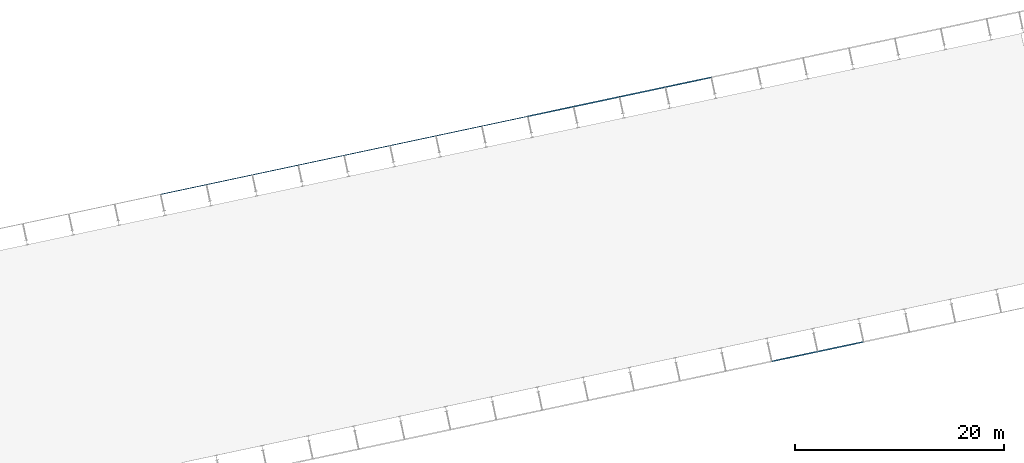
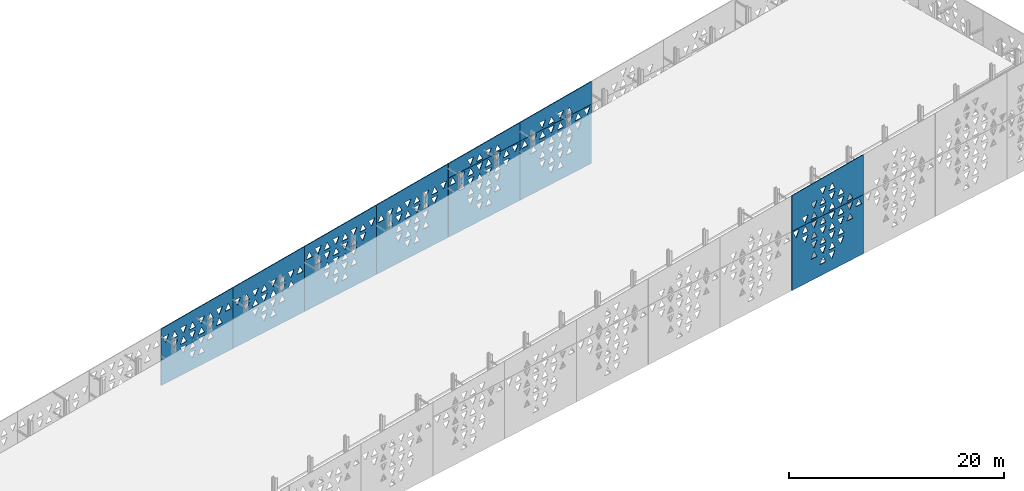
# One storey, part 26 of 41: 10 plates.
"""IFC4 building model written with IfcOpenShell, lengths in metres."""

from ifc_helpers import new_model, si_unit, direction, frame, origin, place, context, subcontext, project, spatial, polyline, outline, extrude, material, layer, layer_set, type_object, element, save


model = new_model("IFC4")

# Units and contexts
model_context = context("Model", 3, precision=1e-05, world=origin(), true_north=direction((0.0, 1.0)))
body_context = subcontext(model_context, "Body", "Model", "MODEL_VIEW")
ifc_project = project(units=[si_unit("LENGTHUNIT", "METRE"), si_unit("AREAUNIT", "SQUARE_METRE"), si_unit("VOLUMEUNIT", "CUBIC_METRE"), si_unit("PLANEANGLEUNIT", "RADIAN"), si_unit("MASSUNIT", "GRAM", prefix="KILO")], contexts=[model_context])

# Site, building, storey
site_placement = place(None, origin())
site = spatial("IfcSite", under=ifc_project, at=site_placement, CompositionType="ELEMENT")
building_placement = place(site_placement, origin())
building = spatial("IfcBuilding", under=site, at=building_placement, Name="Okhra Congress Centre", CompositionType="ELEMENT")
storey_placement = place(building_placement, frame((0.0, 0.0, 21.60009765625)))
storey = spatial("IfcBuildingStorey", under=building, at=storey_placement, Name="ROOF", CompositionType="ELEMENT", Elevation=21.60009765625)

# Plates
ifc_material = material(Name="Fired clay terracotta rainscreen panel, deep oxide-red glaze, non-combustible", Category="masonry")
ifc_layer_1 = layer(ifc_material, 0.080078125)
ifc_layer_set_1 = layer_set([ifc_layer_1], Name="Terracotta screen panel 8980 sloped top")
plate_type_1 = type_object("IfcPlateType", Name="Terracotta screen panel 8980 sloped top", PredefinedType="SHEET", material=ifc_layer_set_1)
plate_1_placement = place(storey_placement, frame((189.090087890625, 51.963134765625, 6.949951171875), z_axis=(0.0, 0.0, 1.0), x_axis=(0.978149591018, 0.207902327047, 0.0)))
element("IfcPlate", 1, at=plate_1_placement, inside=storey, type_object=plate_type_1, Name="Screen panel S16 Parapet", PredefinedType="SHEET", context=body_context, shape_type="SweptSolid", body=[
    extrude(outline(polyline([(0.0, 0.0), (8.97998046875, 0.0), (8.97998046875, 4.53955078125), (0.0, 4.05908203125), (0.0, 0.0)]), holes=[polyline([(1.29638671875, 0.93603515625), (1.679931640625, 0.183837890625), (2.0634765625, 0.93603515625), (1.29638671875, 0.93603515625)]), polyline([(2.41650390625, 0.183837890625), (3.18359375, 0.183837890625), (2.800048828125, 0.93603515625), (2.41650390625, 0.183837890625)]), polyline([(3.536376953125, 0.93603515625), (3.919921875, 0.183837890625), (4.3037109375, 0.93603515625), (3.536376953125, 0.93603515625)]), polyline([(4.656494140625, 0.183837890625), (5.423583984375, 0.183837890625), (5.0400390625, 0.93603515625), (4.656494140625, 0.183837890625)]), polyline([(5.7763671875, 0.93603515625), (6.159912109375, 0.183837890625), (6.543701171875, 0.93603515625), (5.7763671875, 0.93603515625)]), polyline([(6.896484375, 0.183837890625), (7.66357421875, 0.183837890625), (7.280029296875, 0.93603515625), (6.896484375, 0.183837890625)]), polyline([(2.41650390625, 2.05615234375), (2.800048828125, 1.303955078125), (3.18359375, 2.05615234375), (2.41650390625, 2.05615234375)]), polyline([(3.536376953125, 1.303955078125), (4.3037109375, 1.303955078125), (3.919921875, 2.05615234375), (3.536376953125, 1.303955078125)]), polyline([(4.656494140625, 2.05615234375), (5.0400390625, 1.303955078125), (5.423583984375, 2.05615234375), (4.656494140625, 2.05615234375)]), polyline([(5.7763671875, 1.303955078125), (6.543701171875, 1.303955078125), (6.159912109375, 2.05615234375), (5.7763671875, 1.303955078125)]), polyline([(3.536376953125, 3.176025390625), (3.919921875, 2.423828125), (4.3037109375, 3.176025390625), (3.536376953125, 3.176025390625)]), polyline([(4.656494140625, 2.423828125), (5.423583984375, 2.423828125), (5.0400390625, 3.176025390625), (4.656494140625, 2.423828125)])]), frame((0.0, 0.0400390625, 0.0), z_axis=(0.0, -1.0, 0.0), x_axis=(1.0, 0.0, 0.0)), (0.0, 0.0, 1.0), 0.080078125),
])
plate_2_placement = place(storey_placement, frame((183.2802734375, 79.2001953125, 6.949951171875), z_axis=(0.0, 0.0, 1.0), x_axis=(-0.978150766104, -0.207896798366, 0.0)))
element("IfcPlate", 2, at=plate_2_placement, inside=storey, type_object=plate_type_1, Name="Screen panel N5 Parapet", PredefinedType="SHEET", context=body_context, shape_type="SweptSolid", body=[
    extrude(outline(polyline([(0.0, 0.0), (8.97998046875, 0.0), (8.97998046875, 2.117919921875), (0.0, 2.598388671875), (0.0, 0.0)]), holes=[polyline([(2.41650390625, 0.183837890625), (3.18359375, 0.183837890625), (2.800048828125, 0.93603515625), (2.41650390625, 0.183837890625)]), polyline([(3.536376953125, 0.93603515625), (3.919921875, 0.183837890625), (4.3037109375, 0.93603515625), (3.536376953125, 0.93603515625)]), polyline([(4.656494140625, 0.183837890625), (5.423583984375, 0.183837890625), (5.0400390625, 0.93603515625), (4.656494140625, 0.183837890625)]), polyline([(5.7763671875, 0.93603515625), (6.159912109375, 0.183837890625), (6.543701171875, 0.93603515625), (5.7763671875, 0.93603515625)])]), frame((0.0, 0.0400390625, 0.0), z_axis=(0.0, -1.0, 0.0), x_axis=(1.0, 0.0, 0.0)), (0.0, 0.0, 1.0), 0.080078125),
])
plate_3_placement = place(storey_placement, frame((174.476806640625, 77.3291015625, 6.949951171875), z_axis=(0.0, 0.0, 1.0), x_axis=(-0.978149591018, -0.207902327047, 0.0)))
element("IfcPlate", 3, at=plate_3_placement, inside=storey, type_object=plate_type_1, Name="Screen panel N6 Parapet", PredefinedType="SHEET", context=body_context, shape_type="SweptSolid", body=[
    extrude(outline(polyline([(0.0, 0.0), (8.97998046875, 0.0), (8.97998046875, 1.636474609375), (0.0, 2.116943359375), (0.0, 0.0)]), holes=[polyline([(2.41650390625, 0.183837890625), (3.18359375, 0.183837890625), (2.800048828125, 0.93603515625), (2.41650390625, 0.183837890625)]), polyline([(3.536376953125, 0.93603515625), (3.919921875, 0.183837890625), (4.3037109375, 0.93603515625), (3.536376953125, 0.93603515625)]), polyline([(4.656494140625, 0.183837890625), (5.423583984375, 0.183837890625), (5.0400390625, 0.93603515625), (4.656494140625, 0.183837890625)]), polyline([(5.7763671875, 0.93603515625), (6.159912109375, 0.183837890625), (6.543701171875, 0.93603515625), (5.7763671875, 0.93603515625)])]), frame((0.0, 0.0400390625, 0.0), z_axis=(0.0, -1.0, 0.0), x_axis=(1.0, 0.0, 0.0)), (0.0, 0.0, 1.0), 0.080078125),
])
plate_4_placement = place(storey_placement, frame((165.673583984375, 75.457763671875, 0.2099609375), z_axis=(0.0, 0.0, 1.0), x_axis=(-0.978150766104, -0.207896798366, 0.0)))
element("IfcPlate", 4, at=plate_4_placement, inside=storey, type_object=plate_type_1, Name="Screen panel N7 Parapet", PredefinedType="SHEET", context=body_context, shape_type="SweptSolid", body=[
    extrude(outline(polyline([(0.0, 0.0), (8.97998046875, 0.0), (8.97998046875, 7.894775390625), (0.0, 8.375244140625), (0.0, 0.0)]), holes=[polyline([(3.536376953125, 1.303955078125), (4.3037109375, 1.303955078125), (3.919921875, 2.05615234375), (3.536376953125, 1.303955078125)]), polyline([(4.656494140625, 2.05615234375), (5.0400390625, 1.303955078125), (5.423583984375, 2.05615234375), (4.656494140625, 2.05615234375)]), polyline([(2.41650390625, 2.423828125), (3.18359375, 2.423828125), (2.800048828125, 3.176025390625), (2.41650390625, 2.423828125)]), polyline([(3.536376953125, 3.176025390625), (3.919921875, 2.423828125), (4.3037109375, 3.176025390625), (3.536376953125, 3.176025390625)]), polyline([(4.656494140625, 2.423828125), (5.423583984375, 2.423828125), (5.0400390625, 3.176025390625), (4.656494140625, 2.423828125)]), polyline([(5.7763671875, 3.176025390625), (6.159912109375, 2.423828125), (6.543701171875, 3.176025390625), (5.7763671875, 3.176025390625)]), polyline([(2.41650390625, 4.296142578125), (2.800048828125, 3.5439453125), (3.18359375, 4.296142578125), (2.41650390625, 4.296142578125)]), polyline([(3.536376953125, 3.5439453125), (4.3037109375, 3.5439453125), (3.919921875, 4.296142578125), (3.536376953125, 3.5439453125)]), polyline([(4.656494140625, 4.296142578125), (5.0400390625, 3.5439453125), (5.423583984375, 4.296142578125), (4.656494140625, 4.296142578125)]), polyline([(5.7763671875, 3.5439453125), (6.543701171875, 3.5439453125), (6.159912109375, 4.296142578125), (5.7763671875, 3.5439453125)]), polyline([(1.29638671875, 5.416015625), (1.679931640625, 4.663818359375), (2.0634765625, 5.416015625), (1.29638671875, 5.416015625)]), polyline([(2.41650390625, 4.663818359375), (3.18359375, 4.663818359375), (2.800048828125, 5.416015625), (2.41650390625, 4.663818359375)]), polyline([(3.536376953125, 5.416015625), (3.919921875, 4.663818359375), (4.3037109375, 5.416015625), (3.536376953125, 5.416015625)]), polyline([(4.656494140625, 4.663818359375), (5.423583984375, 4.663818359375), (5.0400390625, 5.416015625), (4.656494140625, 4.663818359375)]), polyline([(5.7763671875, 5.416015625), (6.159912109375, 4.663818359375), (6.543701171875, 5.416015625), (5.7763671875, 5.416015625)]), polyline([(6.896484375, 4.663818359375), (7.66357421875, 4.663818359375), (7.280029296875, 5.416015625), (6.896484375, 4.663818359375)]), polyline([(0.176513671875, 6.5361328125), (0.56005859375, 5.783935546875), (0.943603515625, 6.5361328125), (0.176513671875, 6.5361328125)]), polyline([(1.29638671875, 5.783935546875), (2.0634765625, 5.783935546875), (1.679931640625, 6.5361328125), (1.29638671875, 5.783935546875)]), polyline([(2.41650390625, 6.5361328125), (2.800048828125, 5.783935546875), (3.18359375, 6.5361328125), (2.41650390625, 6.5361328125)]), polyline([(3.536376953125, 5.783935546875), (4.3037109375, 5.783935546875), (3.919921875, 6.5361328125), (3.536376953125, 5.783935546875)]), polyline([(4.656494140625, 6.5361328125), (5.0400390625, 5.783935546875), (5.423583984375, 6.5361328125), (4.656494140625, 6.5361328125)]), polyline([(5.7763671875, 5.783935546875), (6.543701171875, 5.783935546875), (6.159912109375, 6.5361328125), (5.7763671875, 5.783935546875)]), polyline([(6.896484375, 6.5361328125), (7.280029296875, 5.783935546875), (7.66357421875, 6.5361328125), (6.896484375, 6.5361328125)]), polyline([(8.016357421875, 5.783935546875), (8.78369140625, 5.783935546875), (8.39990234375, 6.5361328125), (8.016357421875, 5.783935546875)])]), frame((0.0, 0.0400390625, 0.0), z_axis=(0.0, -1.0, 0.0), x_axis=(1.0, 0.0, 0.0)), (0.0, 0.0, 1.0), 0.080078125),
])
plate_5_placement = place(storey_placement, frame((156.8701171875, 73.586669921875, 0.2099609375), z_axis=(0.0, 0.0, 1.0), x_axis=(-0.978149591018, -0.207902327047, 0.0)))
element("IfcPlate", 5, at=plate_5_placement, inside=storey, type_object=plate_type_1, Name="Screen panel N8 Parapet", PredefinedType="SHEET", context=body_context, shape_type="SweptSolid", body=[
    extrude(outline(polyline([(0.0, 0.0), (8.97998046875, 0.0), (8.97998046875, 7.413330078125), (0.0, 7.893798828125), (0.0, 0.0)]), holes=[polyline([(3.536376953125, 1.303955078125), (4.3037109375, 1.303955078125), (3.919921875, 2.05615234375), (3.536376953125, 1.303955078125)]), polyline([(4.656494140625, 2.05615234375), (5.0400390625, 1.303955078125), (5.423583984375, 2.05615234375), (4.656494140625, 2.05615234375)]), polyline([(2.41650390625, 2.423828125), (3.18359375, 2.423828125), (2.800048828125, 3.176025390625), (2.41650390625, 2.423828125)]), polyline([(3.536376953125, 3.176025390625), (3.919921875, 2.423828125), (4.3037109375, 3.176025390625), (3.536376953125, 3.176025390625)]), polyline([(4.656494140625, 2.423828125), (5.423583984375, 2.423828125), (5.0400390625, 3.176025390625), (4.656494140625, 2.423828125)]), polyline([(5.7763671875, 3.176025390625), (6.159912109375, 2.423828125), (6.543701171875, 3.176025390625), (5.7763671875, 3.176025390625)]), polyline([(2.41650390625, 4.296142578125), (2.800048828125, 3.5439453125), (3.18359375, 4.296142578125), (2.41650390625, 4.296142578125)]), polyline([(3.536376953125, 3.5439453125), (4.3037109375, 3.5439453125), (3.919921875, 4.296142578125), (3.536376953125, 3.5439453125)]), polyline([(4.656494140625, 4.296142578125), (5.0400390625, 3.5439453125), (5.423583984375, 4.296142578125), (4.656494140625, 4.296142578125)]), polyline([(5.7763671875, 3.5439453125), (6.543701171875, 3.5439453125), (6.159912109375, 4.296142578125), (5.7763671875, 3.5439453125)]), polyline([(1.29638671875, 5.416015625), (1.679931640625, 4.663818359375), (2.0634765625, 5.416015625), (1.29638671875, 5.416015625)]), polyline([(2.41650390625, 4.663818359375), (3.18359375, 4.663818359375), (2.800048828125, 5.416015625), (2.41650390625, 4.663818359375)]), polyline([(3.536376953125, 5.416015625), (3.919921875, 4.663818359375), (4.3037109375, 5.416015625), (3.536376953125, 5.416015625)]), polyline([(4.656494140625, 4.663818359375), (5.423583984375, 4.663818359375), (5.0400390625, 5.416015625), (4.656494140625, 4.663818359375)]), polyline([(5.7763671875, 5.416015625), (6.159912109375, 4.663818359375), (6.543701171875, 5.416015625), (5.7763671875, 5.416015625)]), polyline([(6.896484375, 4.663818359375), (7.66357421875, 4.663818359375), (7.280029296875, 5.416015625), (6.896484375, 4.663818359375)]), polyline([(0.176513671875, 6.5361328125), (0.56005859375, 5.783935546875), (0.943603515625, 6.5361328125), (0.176513671875, 6.5361328125)]), polyline([(1.29638671875, 5.783935546875), (2.0634765625, 5.783935546875), (1.679931640625, 6.5361328125), (1.29638671875, 5.783935546875)]), polyline([(2.41650390625, 6.5361328125), (2.800048828125, 5.783935546875), (3.18359375, 6.5361328125), (2.41650390625, 6.5361328125)]), polyline([(3.536376953125, 5.783935546875), (4.3037109375, 5.783935546875), (3.919921875, 6.5361328125), (3.536376953125, 5.783935546875)]), polyline([(4.656494140625, 6.5361328125), (5.0400390625, 5.783935546875), (5.423583984375, 6.5361328125), (4.656494140625, 6.5361328125)]), polyline([(5.7763671875, 5.783935546875), (6.543701171875, 5.783935546875), (6.159912109375, 6.5361328125), (5.7763671875, 5.783935546875)]), polyline([(6.896484375, 6.5361328125), (7.280029296875, 5.783935546875), (7.66357421875, 6.5361328125), (6.896484375, 6.5361328125)]), polyline([(8.016357421875, 5.783935546875), (8.78369140625, 5.783935546875), (8.39990234375, 6.5361328125), (8.016357421875, 5.783935546875)])]), frame((0.0, 0.0400390625, 0.0), z_axis=(0.0, -1.0, 0.0), x_axis=(1.0, 0.0, 0.0)), (0.0, 0.0, 1.0), 0.080078125),
])
plate_6_placement = place(storey_placement, frame((148.06689453125, 71.715576171875, 0.2099609375), z_axis=(0.0, 0.0, 1.0), x_axis=(-0.978145237251, -0.207922809819, 0.0)))
element("IfcPlate", 6, at=plate_6_placement, inside=storey, type_object=plate_type_1, Name="Screen panel N9 Parapet", PredefinedType="SHEET", context=body_context, shape_type="SweptSolid", body=[
    extrude(outline(polyline([(0.0, 0.0), (8.97998046875, 0.0), (8.97998046875, 6.931884765625), (0.0, 7.412353515625), (0.0, 0.0)]), holes=[polyline([(3.536376953125, 1.303955078125), (4.3037109375, 1.303955078125), (3.919921875, 2.05615234375), (3.536376953125, 1.303955078125)]), polyline([(4.656494140625, 2.05615234375), (5.0400390625, 1.303955078125), (5.423583984375, 2.05615234375), (4.656494140625, 2.05615234375)]), polyline([(2.41650390625, 2.423828125), (3.18359375, 2.423828125), (2.800048828125, 3.176025390625), (2.41650390625, 2.423828125)]), polyline([(3.536376953125, 3.176025390625), (3.919921875, 2.423828125), (4.3037109375, 3.176025390625), (3.536376953125, 3.176025390625)]), polyline([(4.656494140625, 2.423828125), (5.423583984375, 2.423828125), (5.0400390625, 3.176025390625), (4.656494140625, 2.423828125)]), polyline([(5.7763671875, 3.176025390625), (6.159912109375, 2.423828125), (6.543701171875, 3.176025390625), (5.7763671875, 3.176025390625)]), polyline([(1.29638671875, 3.5439453125), (2.0634765625, 3.5439453125), (1.679931640625, 4.296142578125), (1.29638671875, 3.5439453125)]), polyline([(2.41650390625, 4.296142578125), (2.800048828125, 3.5439453125), (3.18359375, 4.296142578125), (2.41650390625, 4.296142578125)]), polyline([(3.536376953125, 3.5439453125), (4.3037109375, 3.5439453125), (3.919921875, 4.296142578125), (3.536376953125, 3.5439453125)]), polyline([(4.656494140625, 4.296142578125), (5.0400390625, 3.5439453125), (5.423583984375, 4.296142578125), (4.656494140625, 4.296142578125)]), polyline([(5.7763671875, 3.5439453125), (6.543701171875, 3.5439453125), (6.159912109375, 4.296142578125), (5.7763671875, 3.5439453125)]), polyline([(6.896484375, 4.296142578125), (7.280029296875, 3.5439453125), (7.66357421875, 4.296142578125), (6.896484375, 4.296142578125)]), polyline([(0.176513671875, 4.663818359375), (0.943603515625, 4.663818359375), (0.56005859375, 5.416015625), (0.176513671875, 4.663818359375)]), polyline([(1.29638671875, 5.416015625), (1.679931640625, 4.663818359375), (2.0634765625, 5.416015625), (1.29638671875, 5.416015625)]), polyline([(2.41650390625, 4.663818359375), (3.18359375, 4.663818359375), (2.800048828125, 5.416015625), (2.41650390625, 4.663818359375)]), polyline([(3.536376953125, 5.416015625), (3.919921875, 4.663818359375), (4.3037109375, 5.416015625), (3.536376953125, 5.416015625)]), polyline([(4.656494140625, 4.663818359375), (5.423583984375, 4.663818359375), (5.0400390625, 5.416015625), (4.656494140625, 4.663818359375)]), polyline([(5.7763671875, 5.416015625), (6.159912109375, 4.663818359375), (6.543701171875, 5.416015625), (5.7763671875, 5.416015625)]), polyline([(6.896484375, 4.663818359375), (7.66357421875, 4.663818359375), (7.280029296875, 5.416015625), (6.896484375, 4.663818359375)]), polyline([(8.016357421875, 5.416015625), (8.39990234375, 4.663818359375), (8.78369140625, 5.416015625), (8.016357421875, 5.416015625)])]), frame((0.0, 0.0400390625, 0.0), z_axis=(0.0, -1.0, 0.0), x_axis=(1.0, 0.0, 0.0)), (0.0, 0.0, 1.0), 0.080078125),
])
plate_7_placement = place(storey_placement, frame((139.263427734375, 69.84423828125, 0.2099609375), z_axis=(0.0, 0.0, 1.0), x_axis=(-0.978149591018, -0.207902327047, 0.0)))
element("IfcPlate", 7, at=plate_7_placement, inside=storey, type_object=plate_type_1, Name="Screen panel N10 Parapet", PredefinedType="SHEET", context=body_context, shape_type="SweptSolid", body=[
    extrude(outline(polyline([(0.0, 0.0), (8.97998046875, 0.0), (8.97998046875, 6.4501953125), (0.0, 6.9306640625), (0.0, 0.0)]), holes=[polyline([(3.536376953125, 1.303955078125), (4.3037109375, 1.303955078125), (3.919921875, 2.05615234375), (3.536376953125, 1.303955078125)]), polyline([(4.656494140625, 2.05615234375), (5.0400390625, 1.303955078125), (5.423583984375, 2.05615234375), (4.656494140625, 2.05615234375)]), polyline([(2.41650390625, 2.423828125), (3.18359375, 2.423828125), (2.800048828125, 3.176025390625), (2.41650390625, 2.423828125)]), polyline([(3.536376953125, 3.176025390625), (3.919921875, 2.423828125), (4.3037109375, 3.176025390625), (3.536376953125, 3.176025390625)]), polyline([(4.656494140625, 2.423828125), (5.423583984375, 2.423828125), (5.0400390625, 3.176025390625), (4.656494140625, 2.423828125)]), polyline([(5.7763671875, 3.176025390625), (6.159912109375, 2.423828125), (6.543701171875, 3.176025390625), (5.7763671875, 3.176025390625)]), polyline([(1.29638671875, 3.5439453125), (2.0634765625, 3.5439453125), (1.679931640625, 4.296142578125), (1.29638671875, 3.5439453125)]), polyline([(2.41650390625, 4.296142578125), (2.800048828125, 3.5439453125), (3.18359375, 4.296142578125), (2.41650390625, 4.296142578125)]), polyline([(3.536376953125, 3.5439453125), (4.3037109375, 3.5439453125), (3.919921875, 4.296142578125), (3.536376953125, 3.5439453125)]), polyline([(4.656494140625, 4.296142578125), (5.0400390625, 3.5439453125), (5.423583984375, 4.296142578125), (4.656494140625, 4.296142578125)]), polyline([(5.7763671875, 3.5439453125), (6.543701171875, 3.5439453125), (6.159912109375, 4.296142578125), (5.7763671875, 3.5439453125)]), polyline([(6.896484375, 4.296142578125), (7.280029296875, 3.5439453125), (7.66357421875, 4.296142578125), (6.896484375, 4.296142578125)]), polyline([(0.176513671875, 4.663818359375), (0.943603515625, 4.663818359375), (0.56005859375, 5.416015625), (0.176513671875, 4.663818359375)]), polyline([(1.29638671875, 5.416015625), (1.679931640625, 4.663818359375), (2.0634765625, 5.416015625), (1.29638671875, 5.416015625)]), polyline([(2.41650390625, 4.663818359375), (3.18359375, 4.663818359375), (2.800048828125, 5.416015625), (2.41650390625, 4.663818359375)]), polyline([(3.536376953125, 5.416015625), (3.919921875, 4.663818359375), (4.3037109375, 5.416015625), (3.536376953125, 5.416015625)]), polyline([(4.656494140625, 4.663818359375), (5.423583984375, 4.663818359375), (5.0400390625, 5.416015625), (4.656494140625, 4.663818359375)]), polyline([(5.7763671875, 5.416015625), (6.159912109375, 4.663818359375), (6.543701171875, 5.416015625), (5.7763671875, 5.416015625)]), polyline([(6.896484375, 4.663818359375), (7.66357421875, 4.663818359375), (7.280029296875, 5.416015625), (6.896484375, 4.663818359375)]), polyline([(8.016357421875, 5.416015625), (8.39990234375, 4.663818359375), (8.78369140625, 5.416015625), (8.016357421875, 5.416015625)])]), frame((0.0, 0.0400390625, 0.0), z_axis=(0.0, -1.0, 0.0), x_axis=(1.0, 0.0, 0.0)), (0.0, 0.0, 1.0), 0.080078125),
])
ifc_layer_2 = layer(ifc_material, 0.080078125)
ifc_layer_set_2 = layer_set([ifc_layer_2], Name="Terracotta screen panel 8980x6720")
plate_type_2 = type_object("IfcPlateType", Name="Terracotta screen panel 8980x6720", PredefinedType="SHEET", material=ifc_layer_set_2)
plate_8_placement = place(storey_placement, frame((189.090087890625, 51.963134765625, 0.2099609375), z_axis=(0.0, 0.0, 1.0), x_axis=(0.978149591018, 0.207902327047, 0.0)))
element("IfcPlate", 8, at=plate_8_placement, inside=storey, type_object=plate_type_2, Name="Screen panel S16 Tier 3", PredefinedType="SHEET", context=body_context, shape_type="SweptSolid", body=[
    extrude(outline(polyline([(0.0, 0.0), (8.97998046875, 0.0), (8.97998046875, 6.719970703125), (0.0, 6.719970703125), (0.0, 0.0)]), holes=[polyline([(3.536376953125, 1.303955078125), (4.3037109375, 1.303955078125), (3.919921875, 2.05615234375), (3.536376953125, 1.303955078125)]), polyline([(4.656494140625, 2.05615234375), (5.0400390625, 1.303955078125), (5.423583984375, 2.05615234375), (4.656494140625, 2.05615234375)]), polyline([(2.41650390625, 2.423828125), (3.18359375, 2.423828125), (2.800048828125, 3.176025390625), (2.41650390625, 2.423828125)]), polyline([(3.536376953125, 3.176025390625), (3.919921875, 2.423828125), (4.3037109375, 3.176025390625), (3.536376953125, 3.176025390625)]), polyline([(4.656494140625, 2.423828125), (5.423583984375, 2.423828125), (5.0400390625, 3.176025390625), (4.656494140625, 2.423828125)]), polyline([(5.7763671875, 3.176025390625), (6.159912109375, 2.423828125), (6.543701171875, 3.176025390625), (5.7763671875, 3.176025390625)]), polyline([(2.41650390625, 4.296142578125), (2.800048828125, 3.5439453125), (3.18359375, 4.296142578125), (2.41650390625, 4.296142578125)]), polyline([(3.536376953125, 3.5439453125), (4.3037109375, 3.5439453125), (3.919921875, 4.296142578125), (3.536376953125, 3.5439453125)]), polyline([(4.656494140625, 4.296142578125), (5.0400390625, 3.5439453125), (5.423583984375, 4.296142578125), (4.656494140625, 4.296142578125)]), polyline([(5.7763671875, 3.5439453125), (6.543701171875, 3.5439453125), (6.159912109375, 4.296142578125), (5.7763671875, 3.5439453125)]), polyline([(1.29638671875, 5.416015625), (1.679931640625, 4.663818359375), (2.0634765625, 5.416015625), (1.29638671875, 5.416015625)]), polyline([(2.41650390625, 4.663818359375), (3.18359375, 4.663818359375), (2.800048828125, 5.416015625), (2.41650390625, 4.663818359375)]), polyline([(3.536376953125, 5.416015625), (3.919921875, 4.663818359375), (4.3037109375, 5.416015625), (3.536376953125, 5.416015625)]), polyline([(4.656494140625, 4.663818359375), (5.423583984375, 4.663818359375), (5.0400390625, 5.416015625), (4.656494140625, 4.663818359375)]), polyline([(5.7763671875, 5.416015625), (6.159912109375, 4.663818359375), (6.543701171875, 5.416015625), (5.7763671875, 5.416015625)]), polyline([(6.896484375, 4.663818359375), (7.66357421875, 4.663818359375), (7.280029296875, 5.416015625), (6.896484375, 4.663818359375)]), polyline([(0.176513671875, 6.5361328125), (0.56005859375, 5.783935546875), (0.943603515625, 6.5361328125), (0.176513671875, 6.5361328125)]), polyline([(1.29638671875, 5.783935546875), (2.0634765625, 5.783935546875), (1.679931640625, 6.5361328125), (1.29638671875, 5.783935546875)]), polyline([(2.41650390625, 6.5361328125), (2.800048828125, 5.783935546875), (3.18359375, 6.5361328125), (2.41650390625, 6.5361328125)]), polyline([(3.536376953125, 5.783935546875), (4.3037109375, 5.783935546875), (3.919921875, 6.5361328125), (3.536376953125, 5.783935546875)]), polyline([(4.656494140625, 6.5361328125), (5.0400390625, 5.783935546875), (5.423583984375, 6.5361328125), (4.656494140625, 6.5361328125)]), polyline([(5.7763671875, 5.783935546875), (6.543701171875, 5.783935546875), (6.159912109375, 6.5361328125), (5.7763671875, 5.783935546875)]), polyline([(6.896484375, 6.5361328125), (7.280029296875, 5.783935546875), (7.66357421875, 6.5361328125), (6.896484375, 6.5361328125)]), polyline([(8.016357421875, 5.783935546875), (8.78369140625, 5.783935546875), (8.39990234375, 6.5361328125), (8.016357421875, 5.783935546875)])]), frame((0.0, 0.0400390625, 0.0), z_axis=(0.0, -1.0, 0.0), x_axis=(1.0, 0.0, 0.0)), (0.0, 0.0, 1.0), 0.080078125),
])
plate_9_placement = place(storey_placement, frame((183.2802734375, 79.2001953125, 0.2099609375), z_axis=(0.0, 0.0, 1.0), x_axis=(-0.978150766104, -0.207896798366, 0.0)))
element("IfcPlate", 9, at=plate_9_placement, inside=storey, type_object=plate_type_2, Name="Screen panel N5 Tier 3", PredefinedType="SHEET", context=body_context, shape_type="SweptSolid", body=[
    extrude(outline(polyline([(0.0, 0.0), (8.980224609375, 0.0), (8.980224609375, 6.719970703125), (0.0, 6.719970703125), (0.0, 0.0)]), holes=[polyline([(3.536376953125, 1.303955078125), (4.3037109375, 1.303955078125), (3.919921875, 2.05615234375), (3.536376953125, 1.303955078125)]), polyline([(4.656494140625, 2.05615234375), (5.0400390625, 1.303955078125), (5.423583984375, 2.05615234375), (4.656494140625, 2.05615234375)]), polyline([(2.41650390625, 2.423828125), (3.18359375, 2.423828125), (2.800048828125, 3.176025390625), (2.41650390625, 2.423828125)]), polyline([(3.536376953125, 3.176025390625), (3.919921875, 2.423828125), (4.3037109375, 3.176025390625), (3.536376953125, 3.176025390625)]), polyline([(4.656494140625, 2.423828125), (5.423583984375, 2.423828125), (5.0400390625, 3.176025390625), (4.656494140625, 2.423828125)]), polyline([(5.7763671875, 3.176025390625), (6.159912109375, 2.423828125), (6.543701171875, 3.176025390625), (5.7763671875, 3.176025390625)]), polyline([(2.41650390625, 4.296142578125), (2.800048828125, 3.5439453125), (3.18359375, 4.296142578125), (2.41650390625, 4.296142578125)]), polyline([(3.536376953125, 3.5439453125), (4.3037109375, 3.5439453125), (3.919921875, 4.296142578125), (3.536376953125, 3.5439453125)]), polyline([(4.656494140625, 4.296142578125), (5.0400390625, 3.5439453125), (5.423583984375, 4.296142578125), (4.656494140625, 4.296142578125)]), polyline([(5.7763671875, 3.5439453125), (6.543701171875, 3.5439453125), (6.159912109375, 4.296142578125), (5.7763671875, 3.5439453125)]), polyline([(1.29638671875, 5.416015625), (1.679931640625, 4.663818359375), (2.0634765625, 5.416015625), (1.29638671875, 5.416015625)]), polyline([(2.41650390625, 4.663818359375), (3.18359375, 4.663818359375), (2.800048828125, 5.416015625), (2.41650390625, 4.663818359375)]), polyline([(3.536376953125, 5.416015625), (3.919921875, 4.663818359375), (4.3037109375, 5.416015625), (3.536376953125, 5.416015625)]), polyline([(4.656494140625, 4.663818359375), (5.423583984375, 4.663818359375), (5.0400390625, 5.416015625), (4.656494140625, 4.663818359375)]), polyline([(5.7763671875, 5.416015625), (6.159912109375, 4.663818359375), (6.543701171875, 5.416015625), (5.7763671875, 5.416015625)]), polyline([(6.896484375, 4.663818359375), (7.66357421875, 4.663818359375), (7.280029296875, 5.416015625), (6.896484375, 4.663818359375)]), polyline([(0.176513671875, 6.5361328125), (0.56005859375, 5.783935546875), (0.943603515625, 6.5361328125), (0.176513671875, 6.5361328125)]), polyline([(1.29638671875, 5.783935546875), (2.0634765625, 5.783935546875), (1.679931640625, 6.5361328125), (1.29638671875, 5.783935546875)]), polyline([(2.41650390625, 6.5361328125), (2.800048828125, 5.783935546875), (3.18359375, 6.5361328125), (2.41650390625, 6.5361328125)]), polyline([(3.536376953125, 5.783935546875), (4.3037109375, 5.783935546875), (3.919921875, 6.5361328125), (3.536376953125, 5.783935546875)]), polyline([(4.656494140625, 6.5361328125), (5.0400390625, 5.783935546875), (5.423583984375, 6.5361328125), (4.656494140625, 6.5361328125)]), polyline([(5.7763671875, 5.783935546875), (6.543701171875, 5.783935546875), (6.159912109375, 6.5361328125), (5.7763671875, 5.783935546875)]), polyline([(6.896484375, 6.5361328125), (7.280029296875, 5.783935546875), (7.66357421875, 6.5361328125), (6.896484375, 6.5361328125)]), polyline([(8.016357421875, 5.783935546875), (8.78369140625, 5.783935546875), (8.39990234375, 6.5361328125), (8.016357421875, 5.783935546875)])]), frame((0.0, 0.0400390625, 0.0), z_axis=(0.0, -1.0, 0.0), x_axis=(1.0, 0.0, 0.0)), (0.0, 0.0, 1.0), 0.080078125),
])
plate_10_placement = place(storey_placement, frame((174.476806640625, 77.3291015625, 0.2099609375), z_axis=(0.0, 0.0, 1.0), x_axis=(-0.978149591018, -0.207902327047, 0.0)))
element("IfcPlate", 10, at=plate_10_placement, inside=storey, type_object=plate_type_2, Name="Screen panel N6 Tier 3", PredefinedType="SHEET", context=body_context, shape_type="SweptSolid", body=[
    extrude(outline(polyline([(0.0, 0.0), (8.97998046875, 0.0), (8.97998046875, 6.719970703125), (0.0, 6.719970703125), (0.0, 0.0)]), holes=[polyline([(3.536376953125, 1.303955078125), (4.3037109375, 1.303955078125), (3.919921875, 2.05615234375), (3.536376953125, 1.303955078125)]), polyline([(4.656494140625, 2.05615234375), (5.0400390625, 1.303955078125), (5.423583984375, 2.05615234375), (4.656494140625, 2.05615234375)]), polyline([(2.41650390625, 2.423828125), (3.18359375, 2.423828125), (2.800048828125, 3.176025390625), (2.41650390625, 2.423828125)]), polyline([(3.536376953125, 3.176025390625), (3.919921875, 2.423828125), (4.3037109375, 3.176025390625), (3.536376953125, 3.176025390625)]), polyline([(4.656494140625, 2.423828125), (5.423583984375, 2.423828125), (5.0400390625, 3.176025390625), (4.656494140625, 2.423828125)]), polyline([(5.7763671875, 3.176025390625), (6.159912109375, 2.423828125), (6.543701171875, 3.176025390625), (5.7763671875, 3.176025390625)]), polyline([(2.41650390625, 4.296142578125), (2.800048828125, 3.5439453125), (3.18359375, 4.296142578125), (2.41650390625, 4.296142578125)]), polyline([(3.536376953125, 3.5439453125), (4.3037109375, 3.5439453125), (3.919921875, 4.296142578125), (3.536376953125, 3.5439453125)]), polyline([(4.656494140625, 4.296142578125), (5.0400390625, 3.5439453125), (5.423583984375, 4.296142578125), (4.656494140625, 4.296142578125)]), polyline([(5.7763671875, 3.5439453125), (6.543701171875, 3.5439453125), (6.159912109375, 4.296142578125), (5.7763671875, 3.5439453125)]), polyline([(1.29638671875, 5.416015625), (1.679931640625, 4.663818359375), (2.0634765625, 5.416015625), (1.29638671875, 5.416015625)]), polyline([(2.41650390625, 4.663818359375), (3.18359375, 4.663818359375), (2.800048828125, 5.416015625), (2.41650390625, 4.663818359375)]), polyline([(3.536376953125, 5.416015625), (3.919921875, 4.663818359375), (4.3037109375, 5.416015625), (3.536376953125, 5.416015625)]), polyline([(4.656494140625, 4.663818359375), (5.423583984375, 4.663818359375), (5.0400390625, 5.416015625), (4.656494140625, 4.663818359375)]), polyline([(5.7763671875, 5.416015625), (6.159912109375, 4.663818359375), (6.543701171875, 5.416015625), (5.7763671875, 5.416015625)]), polyline([(6.896484375, 4.663818359375), (7.66357421875, 4.663818359375), (7.280029296875, 5.416015625), (6.896484375, 4.663818359375)]), polyline([(0.176513671875, 6.5361328125), (0.56005859375, 5.783935546875), (0.943603515625, 6.5361328125), (0.176513671875, 6.5361328125)]), polyline([(1.29638671875, 5.783935546875), (2.0634765625, 5.783935546875), (1.679931640625, 6.5361328125), (1.29638671875, 5.783935546875)]), polyline([(2.41650390625, 6.5361328125), (2.800048828125, 5.783935546875), (3.18359375, 6.5361328125), (2.41650390625, 6.5361328125)]), polyline([(3.536376953125, 5.783935546875), (4.3037109375, 5.783935546875), (3.919921875, 6.5361328125), (3.536376953125, 5.783935546875)]), polyline([(4.656494140625, 6.5361328125), (5.0400390625, 5.783935546875), (5.423583984375, 6.5361328125), (4.656494140625, 6.5361328125)]), polyline([(5.7763671875, 5.783935546875), (6.543701171875, 5.783935546875), (6.159912109375, 6.5361328125), (5.7763671875, 5.783935546875)]), polyline([(6.896484375, 6.5361328125), (7.280029296875, 5.783935546875), (7.66357421875, 6.5361328125), (6.896484375, 6.5361328125)]), polyline([(8.016357421875, 5.783935546875), (8.78369140625, 5.783935546875), (8.39990234375, 6.5361328125), (8.016357421875, 5.783935546875)])]), frame((0.0, 0.0400390625, 0.0), z_axis=(0.0, -1.0, 0.0), x_axis=(1.0, 0.0, 0.0)), (0.0, 0.0, 1.0), 0.080078125),
])

save(model, "model.ifc")
